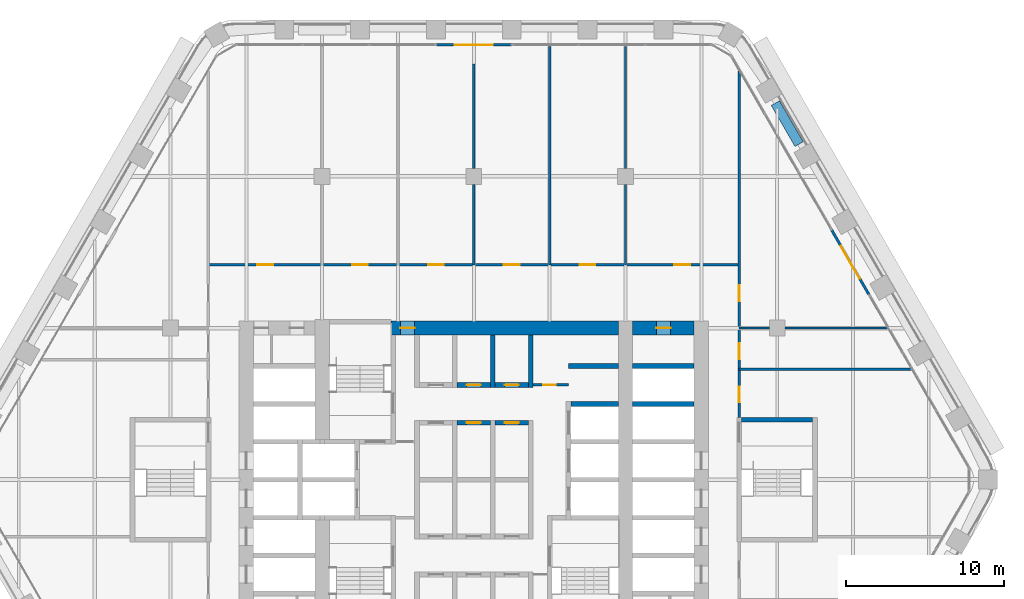
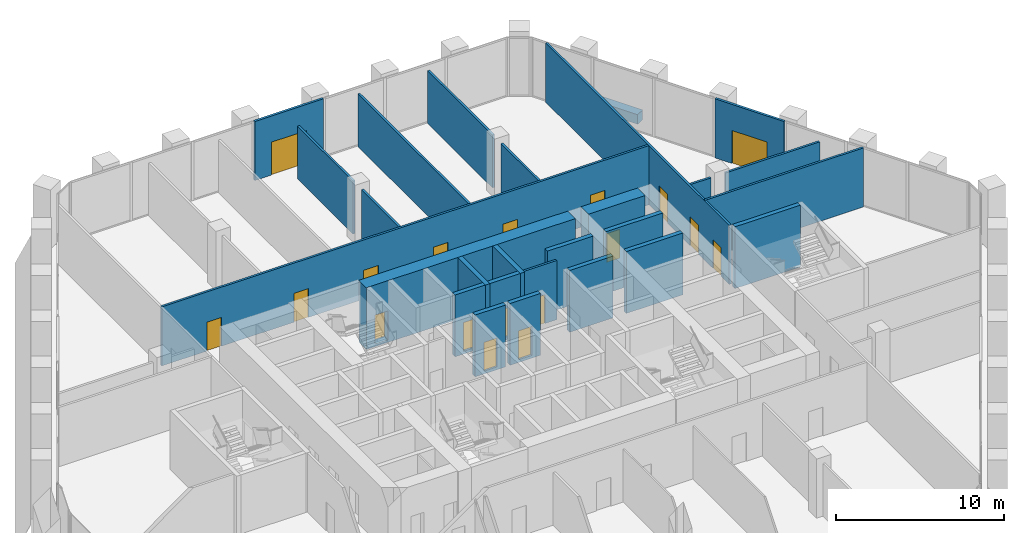
# One storey, part 16 of 22: 27 walls, 18 doors, 18 openings.
"""IFC4 building model written with IfcOpenShell, lengths in metres."""

import ifcopenshell
import ifcopenshell.guid

model = None  # the IFC model being written
_history = None  # IfcOwnerHistory: only IFC2X3 demands one
_inside = {}  # id of a spatial element -> (the spatial element, [elements in it])
_under = {}  # id of a project, library or spatial element -> (it, [spatial elements below it])
_declared = {}  # id of a project -> (the project, [libraries it declares])
_typed = {}  # id of a type object -> (the type object, [elements of that type])
_made_of = {}  # id of a material, layer set ... -> (it, [elements and type objects made of it])


def new_model(schema):
    """Start an empty IFC model of exactly this schema.

    Asked for "IFC4X3", IfcOpenShell would pick the latest addendum, in which some entities
    have other attributes; the version numbers below select the first issue.
    IFC2X3 requires an IfcOwnerHistory on every rooted entity: one is made here for all.
    """
    global model, _history
    if schema == "IFC4X3":
        model = ifcopenshell.file(schema_version=(4, 3, 0, 0))
    else:
        model = ifcopenshell.file(schema=schema)
    _inside.clear()
    _under.clear()
    _declared.clear()
    _typed.clear()
    _made_of.clear()
    _history = None
    if model.schema == "IFC2X3":
        org = make("IfcOrganization", Name="unknown")
        user = make(
            "IfcPersonAndOrganization",
            ThePerson=make("IfcPerson", FamilyName="unknown"),
            TheOrganization=org,
        )
        app = make(
            "IfcApplication",
            ApplicationDeveloper=org,
            Version="unknown",
            ApplicationFullName="unknown",
            ApplicationIdentifier="unknown",
        )
        _history = make(
            "IfcOwnerHistory",
            OwningUser=user,
            OwningApplication=app,
            ChangeAction="ADDED",
            CreationDate=0,
        )
    return model


def make(cls, **values):
    """One entity of the class cls with the attributes given. An attribute that is None is left unset."""
    return model.create_entity(
        cls, **{name: value for name, value in values.items() if value is not None}
    )


def rooted(cls, **values):
    """An entity with a GlobalId (a new one), such as an element, a storey or a relation."""
    return make(cls, GlobalId=ifcopenshell.guid.new(), OwnerHistory=_history, **values)


def si_unit(unit_type, name, prefix=None):
    """IfcSIUnit, for example si_unit("LENGTHUNIT", "METRE", prefix="MILLI")."""
    return make("IfcSIUnit", UnitType=unit_type, Prefix=prefix, Name=name)


def assignment(units):
    """IfcUnitAssignment: the units of a project."""
    return None if units is None else make("IfcUnitAssignment", Units=units)


def point(xyz):
    """IfcCartesianPoint."""
    return None if xyz is None else make("IfcCartesianPoint", Coordinates=xyz)


def direction(xyz):
    """IfcDirection."""
    return None if xyz is None else make("IfcDirection", DirectionRatios=xyz)


def frame(location, z_axis=None, x_axis=None):
    """IfcAxis2Placement3D, a coordinate frame: its origin and axes. An axis left out is left unset."""
    return make(
        "IfcAxis2Placement3D",
        Location=point(location),
        Axis=direction(z_axis),
        RefDirection=direction(x_axis),
    )


def frame_2d(location, x_axis=None):
    """IfcAxis2Placement2D, a coordinate frame in the plane: its origin and x axis."""
    return make(
        "IfcAxis2Placement2D", Location=point(location), RefDirection=direction(x_axis)
    )


def origin():
    """The frame at (0, 0, 0) with its axes left unset."""
    return frame((0.0, 0.0, 0.0))


def place(relative_to, where):
    """IfcLocalPlacement: puts the frame where relative to a parent placement (None: the world)."""
    return make(
        "IfcLocalPlacement", PlacementRelTo=relative_to, RelativePlacement=where
    )


def context(
    kind, dimensions, precision=None, world=None, true_north=None, identifier=None
):
    """IfcGeometricRepresentationContext, for example the 3D "Model" context."""
    return make(
        "IfcGeometricRepresentationContext",
        ContextIdentifier=identifier,
        ContextType=kind,
        CoordinateSpaceDimension=dimensions,
        Precision=precision,
        WorldCoordinateSystem=world,
        TrueNorth=true_north,
    )


def subcontext(parent, identifier, kind, view, scale=None):
    """IfcGeometricRepresentationSubContext, for example "Body" below "Model"."""
    return make(
        "IfcGeometricRepresentationSubContext",
        ContextIdentifier=identifier,
        ContextType=kind,
        ParentContext=parent,
        TargetScale=scale,
        TargetView=view,
    )


def project(units=None, contexts=None):
    """IfcProject with its units and contexts."""
    return rooted(
        "IfcProject",
        Name="project",
        RepresentationContexts=contexts,
        UnitsInContext=assignment(units),
    )


def spatial(cls, under=None, at=None, **own):
    """A site, building, storey or space (cls), placed at a placement, below another one or the project."""
    s = rooted(cls, ObjectPlacement=at, **own)
    if under is not None:
        _under.setdefault(under.id(), (under, []))[1].append(s)
    return s


def profile(cls, at=None, kind="AREA", **sizes):
    """A parametric profile (cls). Its sizes go by their IFC names, for example OverallWidth=200.0."""
    return make(cls, ProfileType=kind, Position=at, **sizes)


def rectangle(**sizes):
    """IfcRectangleProfileDef."""
    return profile("IfcRectangleProfileDef", **sizes)


def extrude(swept, where, along, depth):
    """IfcExtrudedAreaSolid: the profile swept, set in the frame where, extruded along a direction by depth."""
    return make(
        "IfcExtrudedAreaSolid",
        SweptArea=swept,
        Position=where,
        ExtrudedDirection=direction(along),
        Depth=depth,
    )


def shape(context_of_items, identifier, shape_type, items):
    """IfcShapeRepresentation: the items that make up one representation, for example the "Body"."""
    return make(
        "IfcShapeRepresentation",
        ContextOfItems=context_of_items,
        RepresentationIdentifier=identifier,
        RepresentationType=shape_type,
        Items=items,
    )


def material(Name=None, Category=None):
    """IfcMaterial."""
    return make("IfcMaterial", Name=Name, Category=Category)


def layer(
    of_material, thickness, ventilated=None, Name=None, Category=None, Priority=None
):
    """IfcMaterialLayer: one layer of a wall or slab, of a material (None: an air gap)."""
    return make(
        "IfcMaterialLayer",
        Material=of_material,
        LayerThickness=thickness,
        IsVentilated=ventilated,
        Name=Name,
        Category=Category,
        Priority=Priority,
    )


def layer_set(layers, Name=None):
    """IfcMaterialLayerSet."""
    return make("IfcMaterialLayerSet", MaterialLayers=layers, LayerSetName=Name)


def made_of(thing, what):
    """Note that an element or type object is made of a material, layer set ...; save() writes the relation."""
    if what is not None:
        _made_of.setdefault(what.id(), (what, []))[1].append(thing)
    return thing


def type_object(cls, material=None, **own):
    """A type object (cls), such as IfcWallType, which elements share."""
    return made_of(rooted(cls, **own), material)


def element(
    cls,
    number,
    at=None,
    inside=None,
    cuts=None,
    type_object=None,
    material=None,
    context=None,
    identifier="Body",
    shape_type=None,
    held_by="IfcProductDefinitionShape",
    body=None,
    shapes=None,
    **own,
):
    """One element of the class cls, such as IfcWall. Its Tag is "e" and its number.

    at: its placement. inside: the storey or other place that contains it. cuts: it is an
    opening in that element (IfcRelVoidsElement). A single representation is given by context,
    identifier, shape_type and body (its items); several are given by shapes. held_by: the class
    of the entity that holds the representations. save() writes the other relations.
    """
    e = rooted(cls, Tag="e%d" % number, ObjectPlacement=at, **own)
    if body is not None:
        shapes = [shape(context, identifier, shape_type, body)]
    if shapes is not None:
        e.Representation = make(held_by, Representations=shapes)
    if inside is not None:
        _inside.setdefault(inside.id(), (inside, []))[1].append(e)
    if cuts is not None:
        rooted(
            "IfcRelVoidsElement", RelatingBuildingElement=cuts, RelatedOpeningElement=e
        )
    if type_object is not None:
        _typed.setdefault(type_object.id(), (type_object, []))[1].append(e)
    return made_of(e, material)


def fill(opening, filler):
    """IfcRelFillsElement: the door or window that sits in an opening."""
    return rooted(
        "IfcRelFillsElement",
        RelatingOpeningElement=opening,
        RelatedBuildingElement=filler,
    )


def aggregate(whole, parts):
    """IfcRelAggregates: a whole, such as a stair, and the parts it consists of."""
    return rooted("IfcRelAggregates", RelatingObject=whole, RelatedObjects=parts)


def save(model, path):
    """Write the relations noted so far, then the file.

    IfcRelAggregates (storeys below a building ...), IfcRelContainedInSpatialStructure (elements
    in a storey), IfcRelDefinesByType, IfcRelAssociatesMaterial and IfcRelDeclares: one each for
    every whole, place, type object, material and project.
    """
    for whole, parts in _under.values():
        aggregate(whole, parts)
    for where, things in _inside.values():
        rooted(
            "IfcRelContainedInSpatialStructure",
            RelatedElements=things,
            RelatingStructure=where,
        )
    for kind, things in _typed.values():
        rooted("IfcRelDefinesByType", RelatedObjects=things, RelatingType=kind)
    for what, things in _made_of.values():
        rooted("IfcRelAssociatesMaterial", RelatedObjects=things, RelatingMaterial=what)
    for by, libraries in _declared.values():
        rooted("IfcRelDeclares", RelatingContext=by, RelatedDefinitions=libraries)
    model.write(path)


model = new_model("IFC4")

# Units and contexts
model_context = context("Model", 3, precision=1e-05, world=origin(), true_north=direction((0.0, 1.0)))
body_context = subcontext(model_context, "Body", "Model", "MODEL_VIEW")
ifc_project = project(units=[si_unit("LENGTHUNIT", "METRE"), si_unit("AREAUNIT", "SQUARE_METRE"), si_unit("VOLUMEUNIT", "CUBIC_METRE"), si_unit("PLANEANGLEUNIT", "RADIAN"), si_unit("MASSUNIT", "GRAM", prefix="KILO")], contexts=[model_context])

# Site, building, storey
site_placement = place(None, origin())
site = spatial("IfcSite", under=ifc_project, at=site_placement, CompositionType="ELEMENT")
building_placement = place(site_placement, origin())
building = spatial("IfcBuilding", under=site, at=building_placement, Name="Kolab Exchange Tower", CompositionType="ELEMENT")
storey_placement = place(building_placement, frame((0.0, 0.0, 113.89990234375)))
storey = spatial("IfcBuildingStorey", under=building, at=storey_placement, Name="L22", CompositionType="ELEMENT", Elevation=113.89990234375)

# Wall, opening, door
ifc_material_1 = material(Name="Concrete C70/85", Category="concrete")
ifc_layer_1 = layer(ifc_material_1, 0.89990234375)
ifc_layer_set_1 = layer_set([ifc_layer_1], Name="Concrete C70/85")
wall_type_1 = type_object("IfcWallType", Name="CORE WALL 900 C70/85", PredefinedType="SHEAR", material=ifc_layer_set_1)
wall_1_placement = place(storey_placement, frame((-5.25, 9.60009765625, -0.199951171875), z_axis=(0.0, 0.0, 1.0), x_axis=(1.0, 0.0, 0.0)))
wall_1 = element("IfcWall", 1, at=wall_1_placement, inside=storey, type_object=wall_type_1, Name="wall/L22/core/052", PredefinedType="SHEAR", context=body_context, shape_type="SweptSolid", body=[
    extrude(rectangle(XDim=14.39990234375, YDim=0.89990234375, at=frame_2d((7.199951171875, 0.0))), origin(), (0.0, 0.0, 1.0), 4.5),
])
opening_1_placement = place(wall_1_placement, frame((0.60009765625, 0.0, 0.199951171875)))
opening_1 = element("IfcOpeningElement", 2, at=opening_1_placement, cuts=wall_1, Name="Opening D6-225", PredefinedType="OPENING", context=body_context, shape_type="SweptSolid", body=[
    extrude(rectangle(XDim=0.89990234375, YDim=2.10009765625, at=frame_2d((0.449951171875, 1.050048828125))), frame((0.0, 0.4599609375, 0.0), z_axis=(0.0, -1.0, 0.0), x_axis=(1.0, 0.0, 0.0)), (0.0, 0.0, 1.0), 0.919921875),
])
ifc_material_2 = material(Name="Steel S235", Category="steel")
door_type_1 = type_object("IfcDoorType", Name="CORE DOOR 900 EI 120", OperationType="SINGLE_SWING_LEFT", PredefinedType="DOOR", material=ifc_material_2)
door_1_placement = place(opening_1_placement, frame((0.89990234375, 0.0, 0.0), z_axis=(0.0, 0.0, 1.0), x_axis=(-1.0, 0.0, 0.0)))
door_1 = element("IfcDoor", 3, at=door_1_placement, inside=storey, type_object=door_type_1, Name="Core lobby door", OperationType="SINGLE_SWING_RIGHT", OverallHeight=2.10009765625, OverallWidth=0.89990234375, PredefinedType="DOOR", context=body_context, shape_type="SweptSolid", body=[
    extrude(rectangle(XDim=0.89990234375, YDim=2.10009765625, at=frame_2d((0.449951171875, 1.050048828125))), frame((0.0, 0.02490234375, 0.0), z_axis=(0.0, -1.0, 0.0), x_axis=(1.0, 0.0, 0.0)), (0.0, 0.0, 1.0), 0.050048828125),
])
fill(opening_1, door_1)

wall_2_placement = place(storey_placement, frame((10.050048828125, 9.60009765625, -0.199951171875), z_axis=(0.0, 0.0, 1.0), x_axis=(1.0, 0.0, 0.0)))
wall_2 = element("IfcWall", 4, at=wall_2_placement, inside=storey, type_object=wall_type_1, Name="wall/L22/core/053", PredefinedType="SHEAR", context=body_context, shape_type="SweptSolid", body=[
    extrude(rectangle(XDim=3.89990234375, YDim=0.89990234375, at=frame_2d((1.949951171875, 0.0))), origin(), (0.0, 0.0, 1.0), 4.5),
])
opening_2_placement = place(wall_2_placement, frame((1.5, 0.0, 0.199951171875)))
opening_2 = element("IfcOpeningElement", 5, at=opening_2_placement, cuts=wall_2, Name="Opening D6-212", PredefinedType="OPENING", context=body_context, shape_type="SweptSolid", body=[
    extrude(rectangle(XDim=0.89990234375, YDim=2.10009765625, at=frame_2d((0.449951171875, 1.050048828125))), frame((0.0, 0.4599609375, 0.0), z_axis=(0.0, -1.0, 0.0), x_axis=(1.0, 0.0, 0.0)), (0.0, 0.0, 1.0), 0.919921875),
])
door_2_placement = place(opening_2_placement, frame((0.89990234375, 0.0, 0.0), z_axis=(0.0, 0.0, 1.0), x_axis=(-1.0, 0.0, 0.0)))
door_2 = element("IfcDoor", 6, at=door_2_placement, inside=storey, type_object=door_type_1, Name="Service room door", OperationType="SINGLE_SWING_LEFT", OverallHeight=2.10009765625, OverallWidth=0.89990234375, PredefinedType="DOOR", context=body_context, shape_type="SweptSolid", body=[
    extrude(rectangle(XDim=0.89990234375, YDim=2.10009765625, at=frame_2d((0.449951171875, 1.050048828125))), frame((0.0, 0.02490234375, 0.0), z_axis=(0.0, -1.0, 0.0), x_axis=(1.0, 0.0, 0.0)), (0.0, 0.0, 1.0), 0.050048828125),
])
fill(opening_2, door_2)

ifc_material_3 = material(Name="Aluminium EN AW-6063 T6", Category="aluminium")
ifc_layer_2 = layer(ifc_material_3, 0.159912109375)
ifc_layer_set_2 = layer_set([ifc_layer_2], Name="Aluminium EN AW-6063 T6")
wall_type_2 = type_object("IfcWallType", Name="DOOR SURROUND WALL 160 ALUMINIUM FRAMED", PredefinedType="PARTITIONING", material=ifc_layer_set_2)
wall_3_placement = place(storey_placement, frame((-2.3701171875, 27.5185546875, 0.0), z_axis=(0.0, 0.0, 1.0), x_axis=(1.0, 0.0, 0.0)))
wall_3 = element("IfcWall", 7, at=wall_3_placement, inside=storey, type_object=wall_type_2, Name="Door surround wall", PredefinedType="PARTITIONING", context=body_context, shape_type="SweptSolid", body=[
    extrude(rectangle(XDim=4.740234375, YDim=0.159912109375, at=frame_2d((2.3701171875, 0.0))), origin(), (0.0, 0.0, 1.0), 4.300048828125),
])
opening_3_placement = place(wall_3_placement, frame((1.169921875, 0.0, 0.0)))
opening_3 = element("IfcOpeningElement", 8, at=opening_3_placement, cuts=wall_3, Name="Opening GD1-034", PredefinedType="OPENING", context=body_context, shape_type="SweptSolid", body=[
    extrude(rectangle(XDim=2.39990234375, YDim=2.39990234375, at=frame_2d((1.199951171875, 1.199951171875))), frame((0.0, 0.08984375, 0.0), z_axis=(0.0, -1.0, 0.0), x_axis=(1.0, 0.0, 0.0)), (0.0, 0.0, 1.0), 0.179931640625),
])
door_type_2 = type_object("IfcDoorType", Name="LOGGIA SLIDING GLASS DOOR 2400 X 2400", OperationType="DOUBLE_DOOR_SINGLE_SWING", PredefinedType="DOOR", material=ifc_material_3)
door_3_placement = place(opening_3_placement, origin())
door_3 = element("IfcDoor", 9, at=door_3_placement, inside=storey, type_object=door_type_2, Name="Loggia door", OperationType="DOUBLE_DOOR_SLIDING", OverallHeight=2.39990234375, OverallWidth=2.39990234375, PredefinedType="DOOR", context=body_context, shape_type="SweptSolid", body=[
    extrude(rectangle(XDim=2.39990234375, YDim=2.39990234375, at=frame_2d((1.199951171875, 1.199951171875))), frame((0.0, 0.02490234375, 0.0), z_axis=(0.0, -1.0, 0.0), x_axis=(1.0, 0.0, 0.0)), (0.0, 0.0, 1.0), 0.050048828125),
])
fill(opening_3, door_3)

wall_4_placement = place(storey_placement, frame((22.646728515625, 15.811767578125, 0.0), z_axis=(0.0, 0.0, 1.0), x_axis=(0.499978080042, -0.866038058908, 0.0)))
wall_4 = element("IfcWall", 10, at=wall_4_placement, inside=storey, type_object=wall_type_2, Name="Door surround wall", PredefinedType="PARTITIONING", context=body_context, shape_type="SweptSolid", body=[
    extrude(rectangle(XDim=4.739990234375, YDim=0.159912109375, at=frame_2d((2.3701171875, 0.0))), origin(), (0.0, 0.0, 1.0), 4.300048828125),
])
opening_4_placement = place(wall_4_placement, frame((1.169921875, 0.0, 0.0)))
opening_4 = element("IfcOpeningElement", 11, at=opening_4_placement, cuts=wall_4, Name="Opening GD1-035", PredefinedType="OPENING", context=body_context, shape_type="SweptSolid", body=[
    extrude(rectangle(XDim=2.39990234375, YDim=2.39990234375, at=frame_2d((1.199951171875, 1.199951171875))), frame((0.0, 0.08984375, 0.0), z_axis=(0.0, -1.0, 0.0), x_axis=(1.0, 0.0, 0.0)), (0.0, 0.0, 1.0), 0.179931640625),
])
door_4_placement = place(opening_4_placement, origin())
door_4 = element("IfcDoor", 12, at=door_4_placement, inside=storey, type_object=door_type_2, Name="Loggia door", OperationType="DOUBLE_DOOR_SLIDING", OverallHeight=2.39990234375, OverallWidth=2.39990234375, PredefinedType="DOOR", context=body_context, shape_type="SweptSolid", body=[
    extrude(rectangle(XDim=2.39990234375, YDim=2.39990234375, at=frame_2d((1.199951171875, 1.199951171875))), frame((0.0, 0.02490234375, 0.0), z_axis=(0.0, -1.0, 0.0), x_axis=(1.0, 0.0, 0.0)), (0.0, 0.0, 1.0), 0.050048828125),
])
fill(opening_4, door_4)

ifc_material_4 = material(Name="Concrete C50/60", Category="concrete")
ifc_layer_3 = layer(ifc_material_4, 0.300048828125)
ifc_layer_set_3 = layer_set([ifc_layer_3], Name="Concrete C50/60")
wall_type_3 = type_object("IfcWallType", Name="LIFT SHAFT WALL 300 C50/60", PredefinedType="STANDARD", material=ifc_layer_set_3)
wall_5_placement = place(storey_placement, frame((-1.050048828125, 3.60009765625, -0.199951171875), z_axis=(0.0, 0.0, 1.0), x_axis=(1.0, 0.0, 0.0)))
wall_5 = element("IfcWall", 13, at=wall_5_placement, inside=storey, type_object=wall_type_3, Name="wall/L22/core/038", PredefinedType="STANDARD", context=body_context, shape_type="SweptSolid", body=[
    extrude(rectangle(XDim=2.10009765625, YDim=0.300048828125, at=frame_2d((1.050048828125, 0.0))), origin(), (0.0, 0.0, 1.0), 4.5),
])
opening_5_placement = place(wall_5_placement, frame((0.60009765625, 0.0, 0.199951171875)))
opening_5 = element("IfcOpeningElement", 14, at=opening_5_placement, cuts=wall_5, Name="Opening D6-230", PredefinedType="OPENING", context=body_context, shape_type="SweptSolid", body=[
    extrude(rectangle(XDim=0.89990234375, YDim=2.10009765625, at=frame_2d((0.449951171875, 1.050048828125))), frame((0.0, 0.16015625, 0.0), z_axis=(0.0, -1.0, 0.0), x_axis=(1.0, 0.0, 0.0)), (0.0, 0.0, 1.0), 0.320068359375),
])
door_5_placement = place(opening_5_placement, frame((0.89990234375, 0.0, 0.0), z_axis=(0.0, 0.0, 1.0), x_axis=(-1.0, 0.0, 0.0)))
door_5 = element("IfcDoor", 15, at=door_5_placement, inside=storey, type_object=door_type_1, Name="Service room door", OperationType="SINGLE_SWING_RIGHT", OverallHeight=2.10009765625, OverallWidth=0.89990234375, PredefinedType="DOOR", context=body_context, shape_type="SweptSolid", body=[
    extrude(rectangle(XDim=0.89990234375, YDim=2.10009765625, at=frame_2d((0.449951171875, 1.050048828125))), frame((0.0, 0.02490234375, 0.0), z_axis=(0.0, -1.0, 0.0), x_axis=(1.0, 0.0, 0.0)), (0.0, 0.0, 1.0), 0.050048828125),
])
fill(opening_5, door_5)

wall_6_placement = place(storey_placement, frame((1.35009765625, 3.60009765625, -0.199951171875), z_axis=(0.0, 0.0, 1.0), x_axis=(1.0, 0.0, 0.0)))
wall_6 = element("IfcWall", 16, at=wall_6_placement, inside=storey, type_object=wall_type_3, Name="wall/L22/core/039", PredefinedType="STANDARD", context=body_context, shape_type="SweptSolid", body=[
    extrude(rectangle(XDim=2.099853515625, YDim=0.300048828125, at=frame_2d((1.0498046875, 0.0))), origin(), (0.0, 0.0, 1.0), 4.5),
])
opening_6_placement = place(wall_6_placement, frame((0.60009765625, 0.0, 0.199951171875)))
opening_6 = element("IfcOpeningElement", 17, at=opening_6_placement, cuts=wall_6, Name="Opening D6-194", PredefinedType="OPENING", context=body_context, shape_type="SweptSolid", body=[
    extrude(rectangle(XDim=0.89990234375, YDim=2.10009765625, at=frame_2d((0.449951171875, 1.050048828125))), frame((0.0, 0.16015625, 0.0), z_axis=(0.0, -1.0, 0.0), x_axis=(1.0, 0.0, 0.0)), (0.0, 0.0, 1.0), 0.320068359375),
])
door_6_placement = place(opening_6_placement, frame((0.89990234375, 0.0, 0.0), z_axis=(0.0, 0.0, 1.0), x_axis=(-1.0, 0.0, 0.0)))
door_6 = element("IfcDoor", 18, at=door_6_placement, inside=storey, type_object=door_type_1, Name="Service room door", OperationType="SINGLE_SWING_RIGHT", OverallHeight=2.10009765625, OverallWidth=0.89990234375, PredefinedType="DOOR", context=body_context, shape_type="SweptSolid", body=[
    extrude(rectangle(XDim=0.89990234375, YDim=2.10009765625, at=frame_2d((0.449951171875, 1.050048828125))), frame((0.0, 0.02490234375, 0.0), z_axis=(0.0, -1.0, 0.0), x_axis=(1.0, 0.0, 0.0)), (0.0, 0.0, 1.0), 0.050048828125),
])
fill(opening_6, door_6)

# Walls
wall_7_placement = place(storey_placement, frame((6.14990234375, 4.800048828125, -0.199951171875), z_axis=(0.0, 0.0, 1.0), x_axis=(1.0, 0.0, 0.0)))
element("IfcWall", 19, at=wall_7_placement, inside=storey, type_object=wall_type_3, Name="wall/L22/core/043", PredefinedType="STANDARD", context=body_context, shape_type="SweptSolid", body=[
    extrude(rectangle(XDim=3.0, YDim=0.300048828125, at=frame_2d((1.5, 0.0))), origin(), (0.0, 0.0, 1.0), 4.5),
])
wall_8_placement = place(storey_placement, frame((10.050048828125, 4.800048828125, -0.199951171875), z_axis=(0.0, 0.0, 1.0), x_axis=(1.0, 0.0, 0.0)))
element("IfcWall", 20, at=wall_8_placement, inside=storey, type_object=wall_type_3, Name="wall/L22/core/044", PredefinedType="STANDARD", context=body_context, shape_type="SweptSolid", body=[
    extrude(rectangle(XDim=3.89990234375, YDim=0.300048828125, at=frame_2d((1.949951171875, 0.0))), origin(), (0.0, 0.0, 1.0), 4.5),
])

# Wall, opening, door
wall_9_placement = place(storey_placement, frame((-1.050048828125, 6.0, -0.199951171875), z_axis=(0.0, 0.0, 1.0), x_axis=(1.0, 0.0, 0.0)))
wall_9 = element("IfcWall", 21, at=wall_9_placement, inside=storey, type_object=wall_type_3, Name="wall/L22/core/046", PredefinedType="STANDARD", context=body_context, shape_type="SweptSolid", body=[
    extrude(rectangle(XDim=2.10009765625, YDim=0.300048828125, at=frame_2d((1.050048828125, 0.0))), origin(), (0.0, 0.0, 1.0), 4.5),
])
opening_7_placement = place(wall_9_placement, frame((0.60009765625, 0.0, 0.199951171875)))
opening_7 = element("IfcOpeningElement", 22, at=opening_7_placement, cuts=wall_9, Name="Opening D6-192", PredefinedType="OPENING", context=body_context, shape_type="SweptSolid", body=[
    extrude(rectangle(XDim=0.89990234375, YDim=2.10009765625, at=frame_2d((0.449951171875, 1.050048828125))), frame((0.0, 0.16015625, 0.0), z_axis=(0.0, -1.0, 0.0), x_axis=(1.0, 0.0, 0.0)), (0.0, 0.0, 1.0), 0.320068359375),
])
door_7_placement = place(opening_7_placement, origin())
door_7 = element("IfcDoor", 23, at=door_7_placement, inside=storey, type_object=door_type_1, Name="Service room door", OperationType="SINGLE_SWING_LEFT", OverallHeight=2.10009765625, OverallWidth=0.89990234375, PredefinedType="DOOR", context=body_context, shape_type="SweptSolid", body=[
    extrude(rectangle(XDim=0.89990234375, YDim=2.10009765625, at=frame_2d((0.449951171875, 1.050048828125))), frame((0.0, 0.02490234375, 0.0), z_axis=(0.0, -1.0, 0.0), x_axis=(1.0, 0.0, 0.0)), (0.0, 0.0, 1.0), 0.050048828125),
])
fill(opening_7, door_7)

wall_10_placement = place(storey_placement, frame((1.35009765625, 6.0, -0.199951171875), z_axis=(0.0, 0.0, 1.0), x_axis=(1.0, 0.0, 0.0)))
wall_10 = element("IfcWall", 24, at=wall_10_placement, inside=storey, type_object=wall_type_3, Name="wall/L22/core/047", PredefinedType="STANDARD", context=body_context, shape_type="SweptSolid", body=[
    extrude(rectangle(XDim=2.099853515625, YDim=0.300048828125, at=frame_2d((1.0498046875, 0.0))), origin(), (0.0, 0.0, 1.0), 4.5),
])
opening_8_placement = place(wall_10_placement, frame((0.60009765625, 0.0, 0.199951171875)))
opening_8 = element("IfcOpeningElement", 25, at=opening_8_placement, cuts=wall_10, Name="Opening D6-191", PredefinedType="OPENING", context=body_context, shape_type="SweptSolid", body=[
    extrude(rectangle(XDim=0.89990234375, YDim=2.10009765625, at=frame_2d((0.449951171875, 1.050048828125))), frame((0.0, 0.16015625, 0.0), z_axis=(0.0, -1.0, 0.0), x_axis=(1.0, 0.0, 0.0)), (0.0, 0.0, 1.0), 0.320068359375),
])
door_8_placement = place(opening_8_placement, origin())
door_8 = element("IfcDoor", 26, at=door_8_placement, inside=storey, type_object=door_type_1, Name="Service room door", OperationType="SINGLE_SWING_RIGHT", OverallHeight=2.10009765625, OverallWidth=0.89990234375, PredefinedType="DOOR", context=body_context, shape_type="SweptSolid", body=[
    extrude(rectangle(XDim=0.89990234375, YDim=2.10009765625, at=frame_2d((0.449951171875, 1.050048828125))), frame((0.0, 0.02490234375, 0.0), z_axis=(0.0, -1.0, 0.0), x_axis=(1.0, 0.0, 0.0)), (0.0, 0.0, 1.0), 0.050048828125),
])
fill(opening_8, door_8)

# Walls
wall_11_placement = place(storey_placement, frame((6.0, 7.199951171875, -0.199951171875), z_axis=(0.0, 0.0, 1.0), x_axis=(1.0, 0.0, 0.0)))
element("IfcWall", 27, at=wall_11_placement, inside=storey, type_object=wall_type_3, Name="wall/L22/core/049", PredefinedType="STANDARD", context=body_context, shape_type="SweptSolid", body=[
    extrude(rectangle(XDim=3.14990234375, YDim=0.300048828125, at=frame_2d((1.574951171875, 0.0))), origin(), (0.0, 0.0, 1.0), 4.5),
])
wall_12_placement = place(storey_placement, frame((10.050048828125, 7.199951171875, -0.199951171875), z_axis=(0.0, 0.0, 1.0), x_axis=(1.0, 0.0, 0.0)))
element("IfcWall", 28, at=wall_12_placement, inside=storey, type_object=wall_type_3, Name="wall/L22/core/050", PredefinedType="STANDARD", context=body_context, shape_type="SweptSolid", body=[
    extrude(rectangle(XDim=3.89990234375, YDim=0.300048828125, at=frame_2d((1.949951171875, 0.0))), origin(), (0.0, 0.0, 1.0), 4.5),
])
for number, where, z_axis, x_axis, name in (
    (29, (1.199951171875, 5.85009765625, -0.199951171875), (0.0, 0.0, 1.0), (0.0, 1.0, 0.0), "wall/L22/core/074"),
    (30, (3.60009765625, 5.85009765625, -0.199951171875), (0.0, 0.0, 1.0), (0.0, 1.0, 0.0), "wall/L22/core/077"),
):
    element("IfcWall", number, at=place(storey_placement, frame(where, z_axis=z_axis, x_axis=x_axis)), inside=storey, type_object=wall_type_3, Name=name, PredefinedType="STANDARD", context=body_context, shape_type="SweptSolid", body=[
        extrude(rectangle(XDim=3.2998046875, YDim=0.300048828125, at=frame_2d((1.64990234375, 0.0))), origin(), (0.0, 0.0, 1.0), 4.5),
    ])

# Wall, openings, doors
ifc_material_5 = material(Name="Gypsum board", Category="gypsum")
ifc_layer_4 = layer(ifc_material_5, 0.14990234375)
ifc_layer_set_4 = layer_set([ifc_layer_4], Name="Gypsum board")
wall_type_4 = type_object("IfcWallType", Name="PARTITION 150 FIRE-RATED", PredefinedType="PARTITIONING", material=ifc_layer_set_4)
wall_13_placement = place(storey_placement, frame((16.800048828125, 3.949951171875, 0.0), z_axis=(0.0, 0.0, 1.0), x_axis=(0.0, 1.0, 0.0)))
wall_13 = element("IfcWall", 31, at=wall_13_placement, inside=storey, type_object=wall_type_4, Name="Partition 001", PredefinedType="PARTITIONING", context=body_context, shape_type="SweptSolid", body=[
    extrude(rectangle(XDim=21.908447265625, YDim=0.14990234375, at=frame_2d((10.9541015625, 0.0))), origin(), (0.0, 0.0, 1.0), 4.300048828125),
])
opening_9_placement = place(wall_13_placement, frame((0.949951171875, 0.0, 0.0)))
opening_9 = element("IfcOpeningElement", 32, at=opening_9_placement, cuts=wall_13, Name="Opening D1-316", PredefinedType="OPENING", context=body_context, shape_type="SweptSolid", body=[
    extrude(rectangle(XDim=1.0, YDim=2.10009765625, at=frame_2d((0.5, 1.050048828125))), frame((0.0, 0.0849609375, 0.0), z_axis=(0.0, -1.0, 0.0), x_axis=(1.0, 0.0, 0.0)), (0.0, 0.0, 1.0), 0.169921875),
])
opening_10_placement = place(wall_13_placement, frame((3.675048828125, 0.0, 0.0)))
opening_10 = element("IfcOpeningElement", 33, at=opening_10_placement, cuts=wall_13, Name="Opening D1-317", PredefinedType="OPENING", context=body_context, shape_type="SweptSolid", body=[
    extrude(rectangle(XDim=1.0, YDim=2.10009765625, at=frame_2d((0.5, 1.050048828125))), frame((0.0, 0.0849609375, 0.0), z_axis=(0.0, -1.0, 0.0), x_axis=(1.0, 0.0, 0.0)), (0.0, 0.0, 1.0), 0.169921875),
])
opening_11_placement = place(wall_13_placement, frame((7.35009765625, 0.0, 0.0)))
opening_11 = element("IfcOpeningElement", 34, at=opening_11_placement, cuts=wall_13, Name="Opening D1-318", PredefinedType="OPENING", context=body_context, shape_type="SweptSolid", body=[
    extrude(rectangle(XDim=1.0, YDim=2.10009765625, at=frame_2d((0.5, 1.050048828125))), frame((0.0, 0.0849609375, 0.0), z_axis=(0.0, -1.0, 0.0), x_axis=(1.0, 0.0, 0.0)), (0.0, 0.0, 1.0), 0.169921875),
])
door_type_3 = type_object("IfcDoorType", Name="FLUSH DOOR 1000 FD60", OperationType="SINGLE_SWING_LEFT", PredefinedType="DOOR", material=ifc_material_2)
door_9_placement = place(opening_9_placement, frame((1.0, 0.0, 0.0), z_axis=(0.0, 0.0, 1.0), x_axis=(-1.0, 0.0, 0.0)))
door_9 = element("IfcDoor", 35, at=door_9_placement, inside=storey, type_object=door_type_3, Name="Door L22-063", OperationType="SINGLE_SWING_RIGHT", OverallHeight=2.10009765625, OverallWidth=1.0, PredefinedType="DOOR", context=body_context, shape_type="SweptSolid", body=[
    extrude(rectangle(XDim=1.0, YDim=2.10009765625, at=frame_2d((0.5, 1.050048828125))), frame((0.0, 0.02490234375, 0.0), z_axis=(0.0, -1.0, 0.0), x_axis=(1.0, 0.0, 0.0)), (0.0, 0.0, 1.0), 0.050048828125),
])
fill(opening_9, door_9)
door_10_placement = place(opening_10_placement, frame((1.0, 0.0, 0.0), z_axis=(0.0, 0.0, 1.0), x_axis=(-1.0, 0.0, 0.0)))
door_10 = element("IfcDoor", 36, at=door_10_placement, inside=storey, type_object=door_type_3, Name="Door L22-064", OperationType="SINGLE_SWING_LEFT", OverallHeight=2.10009765625, OverallWidth=1.0, PredefinedType="DOOR", context=body_context, shape_type="SweptSolid", body=[
    extrude(rectangle(XDim=1.0, YDim=2.10009765625, at=frame_2d((0.5, 1.050048828125))), frame((0.0, 0.02490234375, 0.0), z_axis=(0.0, -1.0, 0.0), x_axis=(1.0, 0.0, 0.0)), (0.0, 0.0, 1.0), 0.050048828125),
])
fill(opening_10, door_10)
door_11_placement = place(opening_11_placement, frame((1.0, 0.0, 0.0), z_axis=(0.0, 0.0, 1.0), x_axis=(-1.0, 0.0, 0.0)))
door_11 = element("IfcDoor", 37, at=door_11_placement, inside=storey, type_object=door_type_3, Name="Door L22-065", OperationType="SINGLE_SWING_LEFT", OverallHeight=2.10009765625, OverallWidth=1.0, PredefinedType="DOOR", context=body_context, shape_type="SweptSolid", body=[
    extrude(rectangle(XDim=1.0, YDim=2.10009765625, at=frame_2d((0.5, 1.050048828125))), frame((0.0, 0.02490234375, 0.0), z_axis=(0.0, -1.0, 0.0), x_axis=(1.0, 0.0, 0.0)), (0.0, 0.0, 1.0), 0.050048828125),
])
fill(opening_11, door_11)

# Walls
wall_14_placement = place(storey_placement, frame((9.60009765625, 13.60009765625, 0.0), z_axis=(0.0, 0.0, 1.0), x_axis=(0.0, 1.0, 0.0)))
element("IfcWall", 38, at=wall_14_placement, inside=storey, type_object=wall_type_4, Name="Partition 005", PredefinedType="PARTITIONING", context=body_context, shape_type="SweptSolid", body=[
    extrude(rectangle(XDim=5.099853515625, YDim=0.14990234375, at=frame_2d((2.5498046875, 0.0))), origin(), (0.0, 0.0, 1.0), 3.843017578125),
])
wall_15_placement = place(storey_placement, frame((9.60009765625, 19.699951171875, 0.0), z_axis=(0.0, 0.0, 1.0), x_axis=(0.0, 1.0, 0.0)))
element("IfcWall", 39, at=wall_15_placement, inside=storey, type_object=wall_type_4, Name="Partition 006", PredefinedType="PARTITIONING", context=body_context, shape_type="SweptSolid", body=[
    extrude(rectangle(XDim=7.728515625, YDim=0.14990234375, at=frame_2d((3.8642578125, 0.0))), origin(), (0.0, 0.0, 1.0), 3.843017578125),
])
wall_16_placement = place(storey_placement, frame((4.800048828125, 13.60009765625, 0.0), z_axis=(0.0, 0.0, 1.0), x_axis=(0.0, 1.0, 0.0)))
element("IfcWall", 40, at=wall_16_placement, inside=storey, type_object=wall_type_4, Name="Partition 008", PredefinedType="PARTITIONING", context=body_context, shape_type="SweptSolid", body=[
    extrude(rectangle(XDim=13.828369140625, YDim=0.14990234375, at=frame_2d((6.9140625, 0.0))), origin(), (0.0, 0.0, 1.0), 3.843017578125),
])
wall_17_placement = place(storey_placement, frame((0.0, 13.60009765625, 0.0), z_axis=(0.0, 0.0, 1.0), x_axis=(0.0, 1.0, 0.0)))
element("IfcWall", 41, at=wall_17_placement, inside=storey, type_object=wall_type_4, Name="Partition 011", PredefinedType="PARTITIONING", context=body_context, shape_type="SweptSolid", body=[
    extrude(rectangle(XDim=5.099853515625, YDim=0.14990234375, at=frame_2d((2.5498046875, 0.0))), origin(), (0.0, 0.0, 1.0), 3.843017578125),
])
wall_18_placement = place(storey_placement, frame((0.0, 19.699951171875, 0.0), z_axis=(0.0, 0.0, 1.0), x_axis=(0.0, 1.0, 0.0)))
element("IfcWall", 42, at=wall_18_placement, inside=storey, type_object=wall_type_4, Name="Partition 012", PredefinedType="PARTITIONING", context=body_context, shape_type="SweptSolid", body=[
    extrude(rectangle(XDim=6.61865234375, YDim=0.14990234375, at=frame_2d((3.309326171875, 0.0))), origin(), (0.0, 0.0, 1.0), 3.843017578125),
])

# Wall, opening, door
wall_19_placement = place(storey_placement, frame((3.75, 6.0, 0.0), z_axis=(0.0, 0.0, 1.0), x_axis=(1.0, 0.0, 0.0)))
wall_19 = element("IfcWall", 43, at=wall_19_placement, inside=storey, type_object=wall_type_4, Name="Partition 035", PredefinedType="PARTITIONING", context=body_context, shape_type="SweptSolid", body=[
    extrude(rectangle(XDim=2.25, YDim=0.14990234375, at=frame_2d((1.125, 0.0))), origin(), (0.0, 0.0, 1.0), 4.300048828125),
])
opening_12_placement = place(wall_19_placement, frame((0.64990234375, 0.0, 0.0)))
opening_12 = element("IfcOpeningElement", 44, at=opening_12_placement, cuts=wall_19, Name="Opening D7-023", PredefinedType="OPENING", context=body_context, shape_type="SweptSolid", body=[
    extrude(rectangle(XDim=0.800048828125, YDim=2.10009765625, at=frame_2d((0.39990234375, 1.050048828125))), frame((0.0, 0.0849609375, 0.0), z_axis=(0.0, -1.0, 0.0), x_axis=(1.0, 0.0, 0.0)), (0.0, 0.0, 1.0), 0.169921875),
])
door_type_4 = type_object("IfcDoorType", Name="FLUSH DOOR 800 FD60", OperationType="SINGLE_SWING_LEFT", PredefinedType="DOOR", material=ifc_material_2)
door_12_placement = place(opening_12_placement, origin())
door_12 = element("IfcDoor", 45, at=door_12_placement, inside=storey, type_object=door_type_4, Name="Door L22-040", OperationType="SINGLE_SWING_LEFT", OverallHeight=2.10009765625, OverallWidth=0.800048828125, PredefinedType="DOOR", context=body_context, shape_type="SweptSolid", body=[
    extrude(rectangle(XDim=0.800048828125, YDim=2.10009765625, at=frame_2d((0.39990234375, 1.050048828125))), frame((0.0, 0.02490234375, 0.0), z_axis=(0.0, -1.0, 0.0), x_axis=(1.0, 0.0, 0.0)), (0.0, 0.0, 1.0), 0.050048828125),
])
fill(opening_12, door_12)

# Walls
wall_20_placement = place(storey_placement, frame((16.800048828125, 7.0, 0.0), z_axis=(0.0, 0.0, 1.0), x_axis=(1.0, 0.0, 0.0)))
element("IfcWall", 46, at=wall_20_placement, inside=storey, type_object=wall_type_4, Name="Partition 036", PredefinedType="PARTITIONING", context=body_context, shape_type="SweptSolid", body=[
    extrude(rectangle(XDim=10.887939453125, YDim=0.14990234375, at=frame_2d((5.44384765625, 0.0))), origin(), (0.0, 0.0, 1.0), 4.300048828125),
])
wall_21_placement = place(storey_placement, frame((16.800048828125, 9.60009765625, 0.0), z_axis=(0.0, 0.0, 1.0), x_axis=(1.0, 0.0, 0.0)))
element("IfcWall", 47, at=wall_21_placement, inside=storey, type_object=wall_type_4, Name="Partition 040", PredefinedType="PARTITIONING", context=body_context, shape_type="SweptSolid", body=[
    extrude(rectangle(XDim=1.89990234375, YDim=0.14990234375, at=frame_2d((0.949951171875, 0.0))), origin(), (0.0, 0.0, 1.0), 3.692138671875),
])
wall_22_placement = place(storey_placement, frame((19.699951171875, 9.60009765625, 0.0), z_axis=(0.0, 0.0, 1.0), x_axis=(1.0, 0.0, 0.0)))
element("IfcWall", 48, at=wall_22_placement, inside=storey, type_object=wall_type_4, Name="Partition 041", PredefinedType="PARTITIONING", context=body_context, shape_type="SweptSolid", body=[
    extrude(rectangle(XDim=6.48681640625, YDim=0.14990234375, at=frame_2d((3.243408203125, 0.0))), origin(), (0.0, 0.0, 1.0), 3.692138671875),
])

# Wall, openings, doors
wall_23_placement = place(storey_placement, frame((-16.800048828125, 13.60009765625, 0.0), z_axis=(0.0, 0.0, 1.0), x_axis=(1.0, 0.0, 0.0)))
wall_23 = element("IfcWall", 49, at=wall_23_placement, inside=storey, type_object=wall_type_4, Name="Partition 042", PredefinedType="PARTITIONING", context=body_context, shape_type="SweptSolid", body=[
    extrude(rectangle(XDim=33.60009765625, YDim=0.14990234375, at=frame_2d((16.800048828125, 0.0))), origin(), (0.0, 0.0, 1.0), 4.300048828125),
])
opening_13_placement = place(wall_23_placement, frame((3.10009765625, 0.0, 0.0)))
opening_13 = element("IfcOpeningElement", 50, at=opening_13_placement, cuts=wall_23, Name="Opening D1-301", PredefinedType="OPENING", context=body_context, shape_type="SweptSolid", body=[
    extrude(rectangle(XDim=1.0, YDim=2.10009765625, at=frame_2d((0.5, 1.050048828125))), frame((0.0, 0.0849609375, 0.0), z_axis=(0.0, -1.0, 0.0), x_axis=(1.0, 0.0, 0.0)), (0.0, 0.0, 1.0), 0.169921875),
])
opening_14_placement = place(wall_23_placement, frame((9.10009765625, 0.0, 0.0)))
opening_14 = element("IfcOpeningElement", 51, at=opening_14_placement, cuts=wall_23, Name="Opening D1-302", PredefinedType="OPENING", context=body_context, shape_type="SweptSolid", body=[
    extrude(rectangle(XDim=1.0, YDim=2.10009765625, at=frame_2d((0.5, 1.050048828125))), frame((0.0, 0.0849609375, 0.0), z_axis=(0.0, -1.0, 0.0), x_axis=(1.0, 0.0, 0.0)), (0.0, 0.0, 1.0), 0.169921875),
])
opening_15_placement = place(wall_23_placement, frame((13.89990234375, 0.0, 0.0)))
opening_15 = element("IfcOpeningElement", 52, at=opening_15_placement, cuts=wall_23, Name="Opening D1-303", PredefinedType="OPENING", context=body_context, shape_type="SweptSolid", body=[
    extrude(rectangle(XDim=1.0, YDim=2.10009765625, at=frame_2d((0.5, 1.050048828125))), frame((0.0, 0.0849609375, 0.0), z_axis=(0.0, -1.0, 0.0), x_axis=(1.0, 0.0, 0.0)), (0.0, 0.0, 1.0), 0.169921875),
])
opening_16_placement = place(wall_23_placement, frame((18.699951171875, 0.0, 0.0)))
opening_16 = element("IfcOpeningElement", 53, at=opening_16_placement, cuts=wall_23, Name="Opening D1-304", PredefinedType="OPENING", context=body_context, shape_type="SweptSolid", body=[
    extrude(rectangle(XDim=1.0, YDim=2.10009765625, at=frame_2d((0.5, 1.050048828125))), frame((0.0, 0.0849609375, 0.0), z_axis=(0.0, -1.0, 0.0), x_axis=(1.0, 0.0, 0.0)), (0.0, 0.0, 1.0), 0.169921875),
])
opening_17_placement = place(wall_23_placement, frame((23.5, 0.0, 0.0)))
opening_17 = element("IfcOpeningElement", 54, at=opening_17_placement, cuts=wall_23, Name="Opening D1-305", PredefinedType="OPENING", context=body_context, shape_type="SweptSolid", body=[
    extrude(rectangle(XDim=1.0, YDim=2.10009765625, at=frame_2d((0.5, 1.050048828125))), frame((0.0, 0.0849609375, 0.0), z_axis=(0.0, -1.0, 0.0), x_axis=(1.0, 0.0, 0.0)), (0.0, 0.0, 1.0), 0.169921875),
])
opening_18_placement = place(wall_23_placement, frame((29.5, 0.0, 0.0)))
opening_18 = element("IfcOpeningElement", 55, at=opening_18_placement, cuts=wall_23, Name="Opening D1-306", PredefinedType="OPENING", context=body_context, shape_type="SweptSolid", body=[
    extrude(rectangle(XDim=1.0, YDim=2.10009765625, at=frame_2d((0.5, 1.050048828125))), frame((0.0, 0.0849609375, 0.0), z_axis=(0.0, -1.0, 0.0), x_axis=(1.0, 0.0, 0.0)), (0.0, 0.0, 1.0), 0.169921875),
])
door_13_placement = place(opening_13_placement, origin())
door_13 = element("IfcDoor", 56, at=door_13_placement, inside=storey, type_object=door_type_3, Name="Door L22-048", OperationType="SINGLE_SWING_LEFT", OverallHeight=2.10009765625, OverallWidth=1.0, PredefinedType="DOOR", context=body_context, shape_type="SweptSolid", body=[
    extrude(rectangle(XDim=1.0, YDim=2.10009765625, at=frame_2d((0.5, 1.050048828125))), frame((0.0, 0.02490234375, 0.0), z_axis=(0.0, -1.0, 0.0), x_axis=(1.0, 0.0, 0.0)), (0.0, 0.0, 1.0), 0.050048828125),
])
fill(opening_13, door_13)
door_14_placement = place(opening_14_placement, origin())
door_14 = element("IfcDoor", 57, at=door_14_placement, inside=storey, type_object=door_type_3, Name="Door L22-049", OperationType="SINGLE_SWING_LEFT", OverallHeight=2.10009765625, OverallWidth=1.0, PredefinedType="DOOR", context=body_context, shape_type="SweptSolid", body=[
    extrude(rectangle(XDim=1.0, YDim=2.10009765625, at=frame_2d((0.5, 1.050048828125))), frame((0.0, 0.02490234375, 0.0), z_axis=(0.0, -1.0, 0.0), x_axis=(1.0, 0.0, 0.0)), (0.0, 0.0, 1.0), 0.050048828125),
])
fill(opening_14, door_14)
door_15_placement = place(opening_15_placement, origin())
door_15 = element("IfcDoor", 58, at=door_15_placement, inside=storey, type_object=door_type_3, Name="Door L22-050", OperationType="SINGLE_SWING_LEFT", OverallHeight=2.10009765625, OverallWidth=1.0, PredefinedType="DOOR", context=body_context, shape_type="SweptSolid", body=[
    extrude(rectangle(XDim=1.0, YDim=2.10009765625, at=frame_2d((0.5, 1.050048828125))), frame((0.0, 0.02490234375, 0.0), z_axis=(0.0, -1.0, 0.0), x_axis=(1.0, 0.0, 0.0)), (0.0, 0.0, 1.0), 0.050048828125),
])
fill(opening_15, door_15)
door_16_placement = place(opening_16_placement, origin())
door_16 = element("IfcDoor", 59, at=door_16_placement, inside=storey, type_object=door_type_3, Name="Door L22-051", OperationType="SINGLE_SWING_LEFT", OverallHeight=2.10009765625, OverallWidth=1.0, PredefinedType="DOOR", context=body_context, shape_type="SweptSolid", body=[
    extrude(rectangle(XDim=1.0, YDim=2.10009765625, at=frame_2d((0.5, 1.050048828125))), frame((0.0, 0.02490234375, 0.0), z_axis=(0.0, -1.0, 0.0), x_axis=(1.0, 0.0, 0.0)), (0.0, 0.0, 1.0), 0.050048828125),
])
fill(opening_16, door_16)
door_17_placement = place(opening_17_placement, origin())
door_17 = element("IfcDoor", 60, at=door_17_placement, inside=storey, type_object=door_type_3, Name="Door L22-052", OperationType="SINGLE_SWING_LEFT", OverallHeight=2.10009765625, OverallWidth=1.0, PredefinedType="DOOR", context=body_context, shape_type="SweptSolid", body=[
    extrude(rectangle(XDim=1.0, YDim=2.10009765625, at=frame_2d((0.5, 1.050048828125))), frame((0.0, 0.02490234375, 0.0), z_axis=(0.0, -1.0, 0.0), x_axis=(1.0, 0.0, 0.0)), (0.0, 0.0, 1.0), 0.050048828125),
])
fill(opening_17, door_17)
door_18_placement = place(opening_18_placement, origin())
door_18 = element("IfcDoor", 61, at=door_18_placement, inside=storey, type_object=door_type_3, Name="Door L22-053", OperationType="SINGLE_SWING_LEFT", OverallHeight=2.10009765625, OverallWidth=1.0, PredefinedType="DOOR", context=body_context, shape_type="SweptSolid", body=[
    extrude(rectangle(XDim=1.0, YDim=2.10009765625, at=frame_2d((0.5, 1.050048828125))), frame((0.0, 0.02490234375, 0.0), z_axis=(0.0, -1.0, 0.0), x_axis=(1.0, 0.0, 0.0)), (0.0, 0.0, 1.0), 0.050048828125),
])
fill(opening_18, door_18)

# Walls
ifc_material_6 = material(Name="Granite facing", Category="masonry")
ifc_layer_5 = layer(ifc_material_6, 0.0400390625)
ifc_material_7 = material(Name="Concrete C40/50 precast", Category="concrete")
ifc_layer_6 = layer(ifc_material_7, 0.56005859375)
ifc_layer_set_5 = layer_set([ifc_layer_5, ifc_layer_6], Name="Concrete C40/50 precast")
wall_type_5 = type_object("IfcWallType", Name="PLANTER BOX 600 X 700 SOIL DEPTH 550", PredefinedType="USERDEFINED", material=ifc_layer_set_5)
wall_24_placement = place(storey_placement, frame((19.087158203125, 23.837158203125, 0.0), z_axis=(0.0, 0.0, 1.0), x_axis=(0.499990139034, -0.866031096941, 0.0)))
element("IfcWall", 62, at=wall_24_placement, inside=storey, type_object=wall_type_5, Name="Planter", ObjectType="PLANTER", PredefinedType="USERDEFINED", context=body_context, shape_type="SweptSolid", body=[
    extrude(rectangle(XDim=3.0, YDim=0.60009765625, at=frame_2d((1.5, 0.0))), origin(), (0.0, 0.0, 1.0), 0.7001953125),
])
ifc_layer_7 = layer(ifc_material_4, 0.300048828125)
ifc_layer_set_6 = layer_set([ifc_layer_7], Name="Concrete C50/60")
wall_type_6 = type_object("IfcWallType", Name="STAIR ENCLOSURE WALL 300 C50/60", PredefinedType="STANDARD", material=ifc_layer_set_6)
wall_25_placement = place(storey_placement, frame((16.949951171875, 3.800048828125, -0.199951171875), z_axis=(0.0, 0.0, 1.0), x_axis=(1.0, 0.0, 0.0)))
element("IfcWall", 63, at=wall_25_placement, inside=storey, type_object=wall_type_6, Name="wall/L22/core/041", PredefinedType="STANDARD", context=body_context, shape_type="SweptSolid", body=[
    extrude(rectangle(XDim=4.5, YDim=0.300048828125, at=frame_2d((2.25, 0.0))), origin(), (0.0, 0.0, 1.0), 4.5),
])

save(model, "model.ifc")
